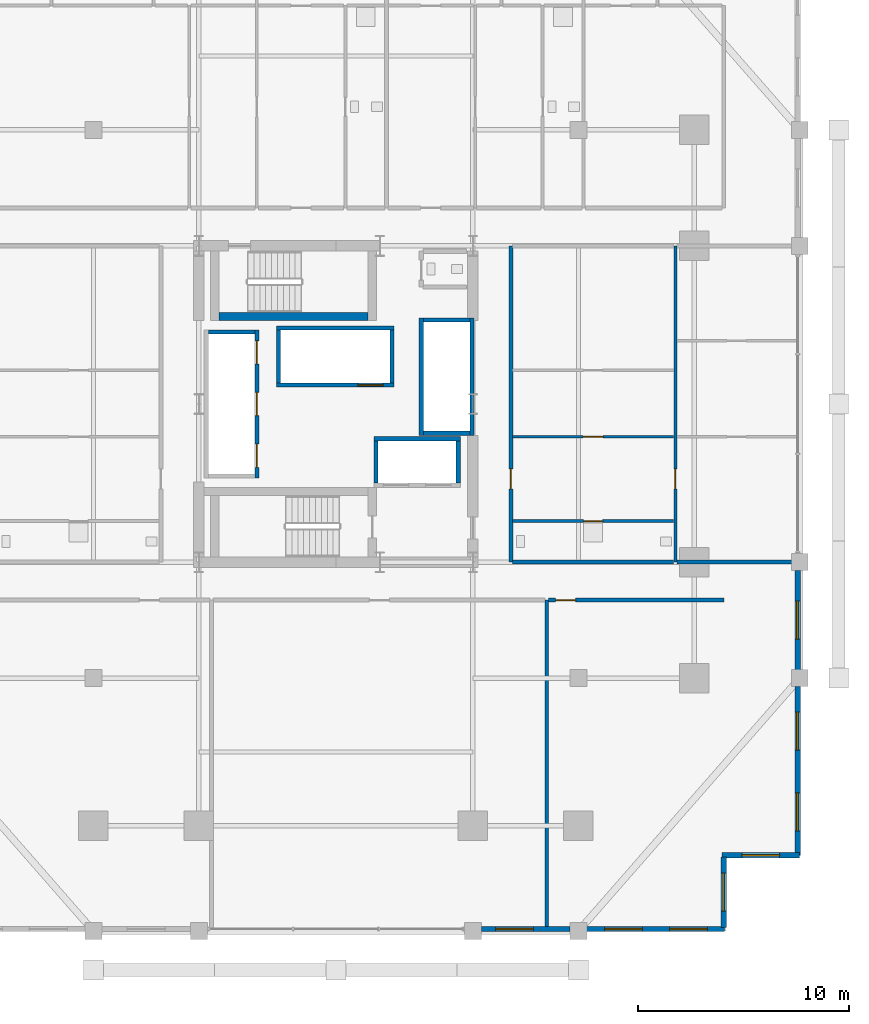
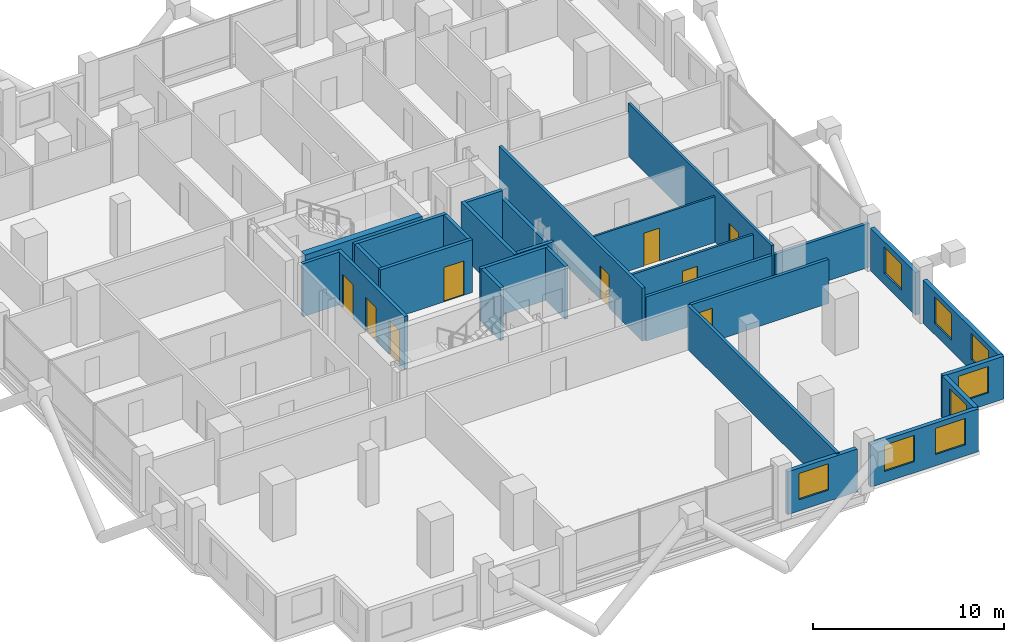
# One storey, part 18 of 23: 28 walls, 9 doors, 8 windows, 17 openings.
"""IFC4 building model written with IfcOpenShell, lengths in metres."""

from ifc_helpers import new_model, si_unit, direction, frame, frame_2d, origin, place, context, subcontext, project, spatial, rectangle, extrude, material, layer, layer_set, type_object, element, fill, save


model = new_model("IFC4")

# Units and contexts
model_context = context("Model", 3, precision=1e-05, world=origin(), true_north=direction((0.0, 1.0)))
body_context = subcontext(model_context, "Body", "Model", "MODEL_VIEW")
ifc_project = project(units=[si_unit("LENGTHUNIT", "METRE"), si_unit("AREAUNIT", "SQUARE_METRE"), si_unit("VOLUMEUNIT", "CUBIC_METRE"), si_unit("PLANEANGLEUNIT", "RADIAN"), si_unit("MASSUNIT", "GRAM", prefix="KILO")], contexts=[model_context])

# Site, building, storey
site_placement = place(None, origin())
site = spatial("IfcSite", under=ifc_project, at=site_placement, CompositionType="ELEMENT")
building_placement = place(site_placement, origin())
building = spatial("IfcBuilding", under=site, at=building_placement, Name="Barlavira Tower and Art Museum", CompositionType="ELEMENT")
storey_placement = place(building_placement, frame((0.0, 0.0, 57.60009765625)))
storey = spatial("IfcBuildingStorey", under=building, at=storey_placement, Name="L13", CompositionType="ELEMENT", Elevation=57.60009765625)

# Wall, opening, door
ifc_material_1 = material(Name="Gypsum acoustic stud partition", Category="gypsum")
ifc_layer_1 = layer(ifc_material_1, 0.1201171875, Name="Gypsum acoustic stud partition")
ifc_layer_set_1 = layer_set([ifc_layer_1], Name="Gypsum acoustic stud partition")
wall_type_1 = type_object("IfcWallType", Name="Apartment Internal Acoustic Partition 120", PredefinedType="PARTITIONING", material=ifc_layer_set_1)
wall_1_placement = place(storey_placement, frame((8.3798828125, -1.550048828125, 0.0), z_axis=(0.0, 0.0, 1.0), x_axis=(1.0, 0.0, 0.0)))
wall_1 = element("IfcWall", 1, at=wall_1_placement, inside=storey, type_object=wall_type_1, Name="L13 Partition Wall 32", PredefinedType="PARTITIONING", context=body_context, shape_type="SweptSolid", body=[
    extrude(rectangle(XDim=7.64013671875, YDim=0.1201171875, at=frame_2d((3.820068359375, 0.0))), origin(), (0.0, 0.0, 1.0), 2.947998046875),
])
opening_1_placement = place(wall_1_placement, frame((3.344970703125, 0.0, 0.0)))
opening_1 = element("IfcOpeningElement", 2, at=opening_1_placement, cuts=wall_1, Name="Opening D-02", PredefinedType="OPENING", context=body_context, shape_type="SweptSolid", body=[
    extrude(rectangle(XDim=0.949951171875, YDim=2.10009765625, at=frame_2d((0.47509765625, 1.050048828125))), frame((0.0, 0.070068359375, 0.0), z_axis=(0.0, -1.0, 0.0), x_axis=(1.0, 0.0, 0.0)), (0.0, 0.0, 1.0), 0.14013671875),
])
ifc_material_2 = material(Name="Engineered coastal hardwood", Category="wood")
door_type_1 = type_object("IfcDoorType", Name="Living and Salon Glazed-Leaf Door 950x2100", OperationType="NOTDEFINED", PredefinedType="DOOR", material=ifc_material_2)
door_1_placement = place(opening_1_placement, origin())
door_1 = element("IfcDoor", 3, at=door_1_placement, inside=storey, type_object=door_type_1, Name="Apartment E1 Kitchen Door", OperationType="SINGLE_SWING_RIGHT", OverallHeight=2.10009765625, OverallWidth=0.949951171875, PredefinedType="DOOR", context=body_context, shape_type="SweptSolid", body=[
    extrude(rectangle(XDim=0.949951171875, YDim=2.10009765625, at=frame_2d((0.47509765625, 1.050048828125))), frame((0.0, 0.02490234375, 0.0), z_axis=(0.0, -1.0, 0.0), x_axis=(1.0, 0.0, 0.0)), (0.0, 0.0, 1.0), 0.050048828125),
])
fill(opening_1, door_1)

# Wall, openings, doors
ifc_material_3 = material(Name="Autoclaved aerated concrete masonry", Category="masonry")
ifc_layer_2 = layer(ifc_material_3, 0.199951171875, Name="Autoclaved aerated concrete masonry")
ifc_layer_set_2 = layer_set([ifc_layer_2], Name="Autoclaved aerated concrete masonry")
wall_type_2 = type_object("IfcWallType", Name="Fire Compartment and Shaft Wall 200", PredefinedType="SOLIDWALL", material=ifc_layer_set_2)
wall_2_placement = place(storey_placement, frame((-3.75, -3.510009765625, 0.0), z_axis=(0.0, 0.0, 1.0), x_axis=(0.0, 1.0, 0.0)))
wall_2 = element("IfcWall", 4, at=wall_2_placement, inside=storey, type_object=wall_type_2, Name="L13 Low-Rise Lift Front Shaft Wall", PredefinedType="SOLIDWALL", context=body_context, shape_type="SweptSolid", body=[
    extrude(rectangle(XDim=7.02001953125, YDim=0.199951171875, at=frame_2d((3.510009765625, 0.0))), origin(), (0.0, 0.0, 1.0), 3.3798828125),
])
opening_2_placement = place(wall_2_placement, frame((0.510009765625, 0.0, 0.0)))
opening_2 = element("IfcOpeningElement", 5, at=opening_2_placement, cuts=wall_2, Name="Opening LD-P", PredefinedType="OPENING", context=body_context, shape_type="SweptSolid", body=[
    extrude(rectangle(XDim=1.10009765625, YDim=2.14990234375, at=frame_2d((0.550048828125, 1.074951171875))), frame((0.0, 0.10986328125, 0.0), z_axis=(0.0, -1.0, 0.0), x_axis=(1.0, 0.0, 0.0)), (0.0, 0.0, 1.0), 0.219970703125),
])
opening_3_placement = place(wall_2_placement, frame((2.9599609375, 0.0, 0.0)))
opening_3 = element("IfcOpeningElement", 6, at=opening_3_placement, cuts=wall_2, Name="Opening LD-P", PredefinedType="OPENING", context=body_context, shape_type="SweptSolid", body=[
    extrude(rectangle(XDim=1.10009765625, YDim=2.14990234375, at=frame_2d((0.550048828125, 1.074951171875))), frame((0.0, 0.10986328125, 0.0), z_axis=(0.0, -1.0, 0.0), x_axis=(1.0, 0.0, 0.0)), (0.0, 0.0, 1.0), 0.219970703125),
])
opening_4_placement = place(wall_2_placement, frame((5.409912109375, 0.0, 0.0)))
opening_4 = element("IfcOpeningElement", 7, at=opening_4_placement, cuts=wall_2, Name="Opening LD-P", PredefinedType="OPENING", context=body_context, shape_type="SweptSolid", body=[
    extrude(rectangle(XDim=1.10009765625, YDim=2.14990234375, at=frame_2d((0.550048828125, 1.074951171875))), frame((0.0, 0.10986328125, 0.0), z_axis=(0.0, -1.0, 0.0), x_axis=(1.0, 0.0, 0.0)), (0.0, 0.0, 1.0), 0.219970703125),
])
ifc_material_4 = material(Name="Brushed stainless steel", Category="steel")
door_type_2 = type_object("IfcDoorType", Name="Passenger Lift Sliding Landing Door 1100x2150 FD60", OperationType="NOTDEFINED", PredefinedType="DOOR", material=ifc_material_4)
door_2_placement = place(opening_2_placement, origin())
door_2 = element("IfcDoor", 8, at=door_2_placement, inside=storey, type_object=door_type_2, Name="L13 Lift PL1 Sliding Landing Door", OperationType="DOUBLE_DOOR_SLIDING", OverallHeight=2.14990234375, OverallWidth=1.10009765625, PredefinedType="DOOR", context=body_context, shape_type="SweptSolid", body=[
    extrude(rectangle(XDim=1.10009765625, YDim=2.14990234375, at=frame_2d((0.550048828125, 1.074951171875))), frame((0.0, 0.02490234375, 0.0), z_axis=(0.0, -1.0, 0.0), x_axis=(1.0, 0.0, 0.0)), (0.0, 0.0, 1.0), 0.050048828125),
])
fill(opening_2, door_2)
door_3_placement = place(opening_3_placement, origin())
door_3 = element("IfcDoor", 9, at=door_3_placement, inside=storey, type_object=door_type_2, Name="L13 Lift PL2 Sliding Landing Door", OperationType="DOUBLE_DOOR_SLIDING", OverallHeight=2.14990234375, OverallWidth=1.10009765625, PredefinedType="DOOR", context=body_context, shape_type="SweptSolid", body=[
    extrude(rectangle(XDim=1.10009765625, YDim=2.14990234375, at=frame_2d((0.550048828125, 1.074951171875))), frame((0.0, 0.02490234375, 0.0), z_axis=(0.0, -1.0, 0.0), x_axis=(1.0, 0.0, 0.0)), (0.0, 0.0, 1.0), 0.050048828125),
])
fill(opening_3, door_3)
door_4_placement = place(opening_4_placement, origin())
door_4 = element("IfcDoor", 10, at=door_4_placement, inside=storey, type_object=door_type_2, Name="L13 Lift PL3 Sliding Landing Door", OperationType="DOUBLE_DOOR_SLIDING", OverallHeight=2.14990234375, OverallWidth=1.10009765625, PredefinedType="DOOR", context=body_context, shape_type="SweptSolid", body=[
    extrude(rectangle(XDim=1.10009765625, YDim=2.14990234375, at=frame_2d((0.550048828125, 1.074951171875))), frame((0.0, 0.02490234375, 0.0), z_axis=(0.0, -1.0, 0.0), x_axis=(1.0, 0.0, 0.0)), (0.0, 0.0, 1.0), 0.050048828125),
])
fill(opening_4, door_4)

# Walls
wall_3_placement = place(storey_placement, frame((-6.050048828125, 3.409912109375, 0.0), z_axis=(0.0, 0.0, 1.0), x_axis=(1.0, 0.0, 0.0)))
element("IfcWall", 11, at=wall_3_placement, inside=storey, type_object=wall_type_2, Name="L13 Low-Rise Lift North Shaft Wall", PredefinedType="SOLIDWALL", context=body_context, shape_type="SweptSolid", body=[
    extrude(rectangle(XDim=2.199951171875, YDim=0.199951171875, at=frame_2d((1.10009765625, 0.0))), origin(), (0.0, 0.0, 1.0), 3.3798828125),
])
wall_4_placement = place(storey_placement, frame((4.050048828125, -1.489990234375, 0.0), z_axis=(0.0, 0.0, 1.0), x_axis=(0.0, 1.0, 0.0)))
element("IfcWall", 12, at=wall_4_placement, inside=storey, type_object=wall_type_2, Name="L13 Mid-Rise Lift Front Shaft Wall", PredefinedType="SOLIDWALL", context=body_context, shape_type="SweptSolid", body=[
    extrude(rectangle(XDim=5.580078125, YDim=0.199951171875, at=frame_2d((2.7900390625, 0.0))), origin(), (0.0, 0.0, 1.0), 3.3798828125),
])
wall_5_placement = place(storey_placement, frame((6.449951171875, -1.489990234375, 0.0), z_axis=(0.0, 0.0, 1.0), x_axis=(0.0, 1.0, 0.0)))
element("IfcWall", 13, at=wall_5_placement, inside=storey, type_object=wall_type_2, Name="L13 Mid-Rise Lift Back Shaft Wall", PredefinedType="SOLIDWALL", context=body_context, shape_type="SweptSolid", body=[
    extrude(rectangle(XDim=5.580078125, YDim=0.199951171875, at=frame_2d((2.7900390625, 0.0))), origin(), (0.0, 0.0, 1.0), 2.81591796875),
])
for number, where, z_axis, x_axis, name in (
    (14, (4.14990234375, -1.389892578125, 0.0), (0.0, 0.0, 1.0), (1.0, 0.0, 0.0), "L13 Mid-Rise Lift South Shaft Wall"),
    (15, (4.14990234375, 3.989990234375, 0.0), (0.0, 0.0, 1.0), (1.0, 0.0, 0.0), "L13 Mid-Rise Lift North Shaft Wall"),
):
    element("IfcWall", number, at=place(storey_placement, frame(where, z_axis=z_axis, x_axis=x_axis)), inside=storey, type_object=wall_type_2, Name=name, PredefinedType="SOLIDWALL", context=body_context, shape_type="SweptSolid", body=[
        extrude(rectangle(XDim=2.2001953125, YDim=0.199951171875, at=frame_2d((1.10009765625, 0.0))), origin(), (0.0, 0.0, 1.0), 3.3798828125),
    ])

# Wall, opening, door
wall_6_placement = place(storey_placement, frame((-2.820068359375, 0.89990234375, 0.0), z_axis=(0.0, 0.0, 1.0), x_axis=(1.0, 0.0, 0.0)))
wall_6 = element("IfcWall", 16, at=wall_6_placement, inside=storey, type_object=wall_type_2, Name="L13 High-Rise & Service Lift Front Wall", PredefinedType="SOLIDWALL", context=body_context, shape_type="SweptSolid", body=[
    extrude(rectangle(XDim=5.580078125, YDim=0.199951171875, at=frame_2d((2.7900390625, 0.0))), origin(), (0.0, 0.0, 1.0), 3.3798828125),
])
opening_5_placement = place(wall_6_placement, frame((3.860107421875, 0.0, 0.0)))
opening_5 = element("IfcOpeningElement", 17, at=opening_5_placement, cuts=wall_6, Name="Opening LD-F", PredefinedType="OPENING", context=body_context, shape_type="SweptSolid", body=[
    extrude(rectangle(XDim=1.199951171875, YDim=2.199951171875, at=frame_2d((0.60009765625, 1.10009765625))), frame((0.0, 0.10986328125, 0.0), z_axis=(0.0, -1.0, 0.0), x_axis=(1.0, 0.0, 0.0)), (0.0, 0.0, 1.0), 0.219970703125),
])
door_type_3 = type_object("IfcDoorType", Name="Firefighting and Service Lift Sliding Door 1200x2200 FD120", OperationType="NOTDEFINED", PredefinedType="DOOR", material=ifc_material_4)
door_5_placement = place(opening_5_placement, origin())
door_5 = element("IfcDoor", 18, at=door_5_placement, inside=storey, type_object=door_type_3, Name="L13 Stretcher Service Lift SL1 Sliding Door", OperationType="DOUBLE_DOOR_SLIDING", OverallHeight=2.199951171875, OverallWidth=1.199951171875, PredefinedType="DOOR", context=body_context, shape_type="SweptSolid", body=[
    extrude(rectangle(XDim=1.199951171875, YDim=2.199951171875, at=frame_2d((0.60009765625, 1.10009765625))), frame((0.0, 0.02490234375, 0.0), z_axis=(0.0, -1.0, 0.0), x_axis=(1.0, 0.0, 0.0)), (0.0, 0.0, 1.0), 0.050048828125),
])
fill(opening_5, door_5)

# Walls
wall_7_placement = place(storey_placement, frame((-2.820068359375, 3.60009765625, 0.0), z_axis=(0.0, 0.0, 1.0), x_axis=(1.0, 0.0, 0.0)))
element("IfcWall", 19, at=wall_7_placement, inside=storey, type_object=wall_type_2, Name="L13 High-Rise & Service Lift Back Wall", PredefinedType="SOLIDWALL", context=body_context, shape_type="SweptSolid", body=[
    extrude(rectangle(XDim=5.580078125, YDim=0.199951171875, at=frame_2d((2.7900390625, 0.0))), origin(), (0.0, 0.0, 1.0), 3.3798828125),
])
for number, where, z_axis, x_axis, name in (
    (20, (-2.719970703125, 1.0, 0.0), (0.0, 0.0, 1.0), (0.0, 1.0, 0.0), "L13 High-Rise & Service Lift West Wall"),
    (21, (2.659912109375, 1.0, 0.0), (0.0, 0.0, 1.0), (0.0, 1.0, 0.0), "L13 High-Rise & Service Lift East Wall"),
):
    element("IfcWall", number, at=place(storey_placement, frame(where, z_axis=z_axis, x_axis=x_axis)), inside=storey, type_object=wall_type_2, Name=name, PredefinedType="SOLIDWALL", context=body_context, shape_type="SweptSolid", body=[
        extrude(rectangle(XDim=2.5, YDim=0.199951171875, at=frame_2d((1.25, 0.0))), origin(), (0.0, 0.0, 1.0), 3.3798828125),
    ])
wall_8_placement = place(storey_placement, frame((1.800048828125, -1.64990234375, 0.0), z_axis=(0.0, 0.0, 1.0), x_axis=(1.0, 0.0, 0.0)))
element("IfcWall", 22, at=wall_8_placement, inside=storey, type_object=wall_type_2, Name="L13 Firefighting Lift Back Shaft Wall", PredefinedType="SOLIDWALL", context=body_context, shape_type="SweptSolid", body=[
    extrude(rectangle(XDim=4.099853515625, YDim=0.199951171875, at=frame_2d((2.0498046875, 0.0))), origin(), (0.0, 0.0, 1.0), 3.3798828125),
])
for number, where, z_axis, x_axis, name in (
    (23, (1.89990234375, -3.75, 0.0), (0.0, 0.0, 1.0), (0.0, 1.0, 0.0), "L13 Firefighting Lift West Shaft Wall"),
    (24, (5.800048828125, -3.75, 0.0), (0.0, 0.0, 1.0), (0.0, 1.0, 0.0), "L13 Firefighting Lift East Shaft Wall"),
):
    element("IfcWall", number, at=place(storey_placement, frame(where, z_axis=z_axis, x_axis=x_axis)), inside=storey, type_object=wall_type_2, Name=name, PredefinedType="SOLIDWALL", context=body_context, shape_type="SweptSolid", body=[
        extrude(rectangle(XDim=2.0, YDim=0.199951171875, at=frame_2d((1.0, 0.0))), origin(), (0.0, 0.0, 1.0), 3.3798828125),
    ])

# Wall, opening, door
ifc_layer_3 = layer(ifc_material_1, 0.179931640625, Name="Gypsum acoustic stud partition")
ifc_layer_set_3 = layer_set([ifc_layer_3], Name="Gypsum acoustic stud partition")
wall_type_3 = type_object("IfcWallType", Name="Inter-Tenancy Party Partition Wall 180", PredefinedType="PARTITIONING", material=ifc_layer_set_3)
wall_9_placement = place(storey_placement, frame((8.300048828125, -7.5, 0.0), z_axis=(0.0, 0.0, 1.0), x_axis=(0.0, 1.0, 0.0)))
wall_9 = element("IfcWall", 25, at=wall_9_placement, inside=storey, type_object=wall_type_3, Name="L13 Partition Wall 14", PredefinedType="PARTITIONING", context=body_context, shape_type="SweptSolid", body=[
    extrude(rectangle(XDim=15.0, YDim=0.179931640625, at=frame_2d((7.5, 0.0))), origin(), (0.0, 0.0, 1.0), 3.3798828125),
])
opening_6_placement = place(wall_9_placement, frame((3.47509765625, 0.0, 0.0)))
opening_6 = element("IfcOpeningElement", 26, at=opening_6_placement, cuts=wall_9, Name="Opening FD-60", PredefinedType="OPENING", context=body_context, shape_type="SweptSolid", body=[
    extrude(rectangle(XDim=0.949951171875, YDim=2.14990234375, at=frame_2d((0.47509765625, 1.074951171875))), frame((0.0, 0.10009765625, 0.0), z_axis=(0.0, -1.0, 0.0), x_axis=(1.0, 0.0, 0.0)), (0.0, 0.0, 1.0), 0.199951171875),
])
door_type_4 = type_object("IfcDoorType", Name="Apartment Entrance and Riser Fire Door 950x2150 FD60S", OperationType="NOTDEFINED", PredefinedType="DOOR", material=ifc_material_4)
door_6_placement = place(opening_6_placement, origin())
door_6 = element("IfcDoor", 27, at=door_6_placement, inside=storey, type_object=door_type_4, Name="Apartment Entrance Hall E1 Door", OperationType="SINGLE_SWING_LEFT", OverallHeight=2.14990234375, OverallWidth=0.949951171875, PredefinedType="DOOR", context=body_context, shape_type="SweptSolid", body=[
    extrude(rectangle(XDim=0.949951171875, YDim=2.14990234375, at=frame_2d((0.47509765625, 1.074951171875))), frame((0.0, 0.02490234375, 0.0), z_axis=(0.0, -1.0, 0.0), x_axis=(1.0, 0.0, 0.0)), (0.0, 0.0, 1.0), 0.050048828125),
])
fill(opening_6, door_6)

# Wall
wall_10_placement = place(storey_placement, frame((10.0, -24.89990234375, 0.0), z_axis=(0.0, 0.0, 1.0), x_axis=(0.0, 1.0, 0.0)))
element("IfcWall", 28, at=wall_10_placement, inside=storey, type_object=wall_type_3, Name="L13 Partition Wall 16", PredefinedType="PARTITIONING", context=body_context, shape_type="SweptSolid", body=[
    extrude(rectangle(XDim=15.599853515625, YDim=0.179931640625, at=frame_2d((7.7998046875, 0.0))), origin(), (0.0, 0.0, 1.0), 2.81591796875),
])

# Wall, opening, door
wall_11_placement = place(storey_placement, frame((10.080078125, -9.300048828125, 0.0), z_axis=(0.0, 0.0, 1.0), x_axis=(1.0, 0.0, 0.0)))
wall_11 = element("IfcWall", 29, at=wall_11_placement, inside=storey, type_object=wall_type_3, Name="L13 Partition Wall 23", PredefinedType="PARTITIONING", context=body_context, shape_type="SweptSolid", body=[
    extrude(rectangle(XDim=8.31982421875, YDim=0.179931640625, at=frame_2d((4.159912109375, 0.0))), origin(), (0.0, 0.0, 1.0), 2.81591796875),
])
opening_7_placement = place(wall_11_placement, frame((0.344970703125, 0.0, 0.0)))
opening_7 = element("IfcOpeningElement", 30, at=opening_7_placement, cuts=wall_11, Name="Opening FD-60", PredefinedType="OPENING", context=body_context, shape_type="SweptSolid", body=[
    extrude(rectangle(XDim=0.949951171875, YDim=2.14990234375, at=frame_2d((0.47509765625, 1.074951171875))), frame((0.0, 0.10009765625, 0.0), z_axis=(0.0, -1.0, 0.0), x_axis=(1.0, 0.0, 0.0)), (0.0, 0.0, 1.0), 0.199951171875),
])
door_7_placement = place(opening_7_placement, origin())
door_7 = element("IfcDoor", 31, at=door_7_placement, inside=storey, type_object=door_type_4, Name="Shared Coworking Espresso Pantry Door", OperationType="SINGLE_SWING_RIGHT", OverallHeight=2.14990234375, OverallWidth=0.949951171875, PredefinedType="DOOR", context=body_context, shape_type="SweptSolid", body=[
    extrude(rectangle(XDim=0.949951171875, YDim=2.14990234375, at=frame_2d((0.47509765625, 1.074951171875))), frame((0.0, 0.02490234375, 0.0), z_axis=(0.0, -1.0, 0.0), x_axis=(1.0, 0.0, 0.0)), (0.0, 0.0, 1.0), 0.050048828125),
])
fill(opening_7, door_7)

# Walls
wall_12_placement = place(storey_placement, frame((8.3798828125, -7.5, 0.0), z_axis=(0.0, 0.0, 1.0), x_axis=(1.0, 0.0, 0.0)))
element("IfcWall", 32, at=wall_12_placement, inside=storey, type_object=wall_type_3, Name="L13 Partition Wall 26", PredefinedType="PARTITIONING", context=body_context, shape_type="SweptSolid", body=[
    extrude(rectangle(XDim=7.64013671875, YDim=0.179931640625, at=frame_2d((3.820068359375, 0.0))), origin(), (0.0, 0.0, 1.0), 2.81591796875),
])
wall_13_placement = place(storey_placement, frame((16.179931640625, -7.5, 0.0), z_axis=(0.0, 0.0, 1.0), x_axis=(1.0, 0.0, 0.0)))
element("IfcWall", 33, at=wall_13_placement, inside=storey, type_object=wall_type_3, Name="L13 Partition Wall 27", PredefinedType="PARTITIONING", context=body_context, shape_type="SweptSolid", body=[
    extrude(rectangle(XDim=5.719970703125, YDim=0.179931640625, at=frame_2d((2.85986328125, 0.0))), origin(), (0.0, 0.0, 1.0), 2.81591796875),
])

# Wall, opening, door
ifc_layer_4 = layer(ifc_material_1, 0.139892578125, Name="Gypsum acoustic stud partition")
ifc_layer_set_4 = layer_set([ifc_layer_4], Name="Gypsum acoustic stud partition")
wall_type_4 = type_object("IfcWallType", Name="Moisture-Resistant Bathroom Partition 140", PredefinedType="PARTITIONING", material=ifc_layer_set_4)
wall_14_placement = place(storey_placement, frame((16.10009765625, -7.5, 0.0), z_axis=(0.0, 0.0, 1.0), x_axis=(0.0, 1.0, 0.0)))
wall_14 = element("IfcWall", 34, at=wall_14_placement, inside=storey, type_object=wall_type_4, Name="L13 Partition Wall 19", PredefinedType="PARTITIONING", context=body_context, shape_type="SweptSolid", body=[
    extrude(rectangle(XDim=15.0, YDim=0.139892578125, at=frame_2d((7.5, 0.0))), origin(), (0.0, 0.0, 1.0), 3.3798828125),
])
opening_8_placement = place(wall_14_placement, frame((3.47509765625, 0.0, 0.0)))
opening_8 = element("IfcOpeningElement", 35, at=opening_8_placement, cuts=wall_14, Name="Opening D-02", PredefinedType="OPENING", context=body_context, shape_type="SweptSolid", body=[
    extrude(rectangle(XDim=0.949951171875, YDim=2.10009765625, at=frame_2d((0.47509765625, 1.050048828125))), frame((0.0, 0.080078125, 0.0), z_axis=(0.0, -1.0, 0.0), x_axis=(1.0, 0.0, 0.0)), (0.0, 0.0, 1.0), 0.159912109375),
])
door_8_placement = place(opening_8_placement, origin())
door_8 = element("IfcDoor", 36, at=door_8_placement, inside=storey, type_object=door_type_1, Name="Apartment E1 Living Lounge Door", OperationType="SINGLE_SWING_RIGHT", OverallHeight=2.10009765625, OverallWidth=0.949951171875, PredefinedType="DOOR", context=body_context, shape_type="SweptSolid", body=[
    extrude(rectangle(XDim=0.949951171875, YDim=2.10009765625, at=frame_2d((0.47509765625, 1.050048828125))), frame((0.0, 0.02490234375, 0.0), z_axis=(0.0, -1.0, 0.0), x_axis=(1.0, 0.0, 0.0)), (0.0, 0.0, 1.0), 0.050048828125),
])
fill(opening_8, door_8)

wall_15_placement = place(storey_placement, frame((8.3798828125, -5.550048828125, 0.0), z_axis=(0.0, 0.0, 1.0), x_axis=(1.0, 0.0, 0.0)))
wall_15 = element("IfcWall", 37, at=wall_15_placement, inside=storey, type_object=wall_type_4, Name="L13 Partition Wall 29", PredefinedType="PARTITIONING", context=body_context, shape_type="SweptSolid", body=[
    extrude(rectangle(XDim=7.64013671875, YDim=0.139892578125, at=frame_2d((3.820068359375, 0.0))), origin(), (0.0, 0.0, 1.0), 2.947998046875),
])
opening_9_placement = place(wall_15_placement, frame((3.3701171875, 0.0, 0.0)))
opening_9 = element("IfcOpeningElement", 38, at=opening_9_placement, cuts=wall_15, Name="Opening D-WC", PredefinedType="OPENING", context=body_context, shape_type="SweptSolid", body=[
    extrude(rectangle(XDim=0.89990234375, YDim=2.10009765625, at=frame_2d((0.449951171875, 1.050048828125))), frame((0.0, 0.080078125, 0.0), z_axis=(0.0, -1.0, 0.0), x_axis=(1.0, 0.0, 0.0)), (0.0, 0.0, 1.0), 0.159912109375),
])
door_type_5 = type_object("IfcDoorType", Name="Accessible Bathroom Flush Door 900x2100", OperationType="NOTDEFINED", PredefinedType="DOOR", material=ifc_material_2)
door_9_placement = place(opening_9_placement, origin())
door_9 = element("IfcDoor", 39, at=door_9_placement, inside=storey, type_object=door_type_5, Name="Apartment E1 Hall Bathroom Door", OperationType="SINGLE_SWING_RIGHT", OverallHeight=2.10009765625, OverallWidth=0.89990234375, PredefinedType="DOOR", context=body_context, shape_type="SweptSolid", body=[
    extrude(rectangle(XDim=0.89990234375, YDim=2.10009765625, at=frame_2d((0.449951171875, 1.050048828125))), frame((0.0, 0.02490234375, 0.0), z_axis=(0.0, -1.0, 0.0), x_axis=(1.0, 0.0, 0.0)), (0.0, 0.0, 1.0), 0.050048828125),
])
fill(opening_9, door_9)

# Wall, opening, window
ifc_material_5 = material(Name="Precast concrete C40", Category="concrete")
ifc_layer_5 = layer(ifc_material_5, 0.25, Name="Precast concrete C40")
ifc_layer_set_5 = layer_set([ifc_layer_5], Name="Precast concrete C40")
wall_type_5 = type_object("IfcWallType", Name="Notched Corner Spandrel Wall 250 Precast Concrete C40", PredefinedType="SOLIDWALL", material=ifc_layer_set_5)
wall_16_placement = place(storey_placement, frame((6.89501953125, -24.89990234375, 0.0), z_axis=(0.0, 0.0, 1.0), x_axis=(1.0, 0.0, 0.0)))
wall_16 = element("IfcWall", 40, at=wall_16_placement, inside=storey, type_object=wall_type_5, Name="L13 Coastal Facade Pier Wall CW1-L13-S-4", PredefinedType="SOLIDWALL", context=body_context, shape_type="SweptSolid", body=[
    extrude(rectangle(XDim=4.2099609375, YDim=0.25, at=frame_2d((2.10498046875, 0.0))), origin(), (0.0, 0.0, 1.0), 2.73583984375),
])
opening_10_placement = place(wall_16_placement, frame((0.675048828125, 0.0, 0.719970703125)))
opening_10 = element("IfcOpeningElement", 41, at=opening_10_placement, cuts=wall_16, Name="Opening WN-01", PredefinedType="OPENING", context=body_context, shape_type="SweptSolid", body=[
    extrude(rectangle(XDim=1.800048828125, YDim=1.679931640625, at=frame_2d((0.89990234375, 0.83984375))), frame((0.0, 0.135009765625, 0.0), z_axis=(0.0, -1.0, 0.0), x_axis=(1.0, 0.0, 0.0)), (0.0, 0.0, 1.0), 0.27001953125),
])
ifc_material_6 = material(Name="Low-iron coastal laminated glass", Category="glass")
window_type = type_object("IfcWindowType", Name="Recessed Notch Corner Punch Window 1800x1680", PartitioningType="SINGLE_PANEL", PredefinedType="WINDOW", material=ifc_material_6)
window_1_placement = place(opening_10_placement, origin())
window_1 = element("IfcWindow", 42, at=window_1_placement, inside=storey, type_object=window_type, Name="L13 Punched Facade Window EWP-CW1-L13-S-4-1", OverallHeight=1.679931640625, OverallWidth=1.800048828125, PartitioningType="SINGLE_PANEL", PredefinedType="WINDOW", context=body_context, shape_type="SweptSolid", body=[
    extrude(rectangle(XDim=1.800048828125, YDim=1.679931640625, at=frame_2d((0.89990234375, 0.83984375))), frame((0.0, 0.030029296875, 0.0), z_axis=(0.0, -1.0, 0.0), x_axis=(1.0, 0.0, 0.0)), (0.0, 0.0, 1.0), 0.06005859375),
])
fill(opening_10, window_1)

# Wall, openings, windows
wall_17_placement = place(storey_placement, frame((11.89501953125, -24.89990234375, 0.0), z_axis=(0.0, 0.0, 1.0), x_axis=(1.0, 0.0, 0.0)))
wall_17 = element("IfcWall", 43, at=wall_17_placement, inside=storey, type_object=wall_type_5, Name="L13 Coastal Facade Pier Wall CW1-L13-S-5", PredefinedType="SOLIDWALL", context=body_context, shape_type="SweptSolid", body=[
    extrude(rectangle(XDim=6.530029296875, YDim=0.25, at=frame_2d((3.26513671875, 0.0))), origin(), (0.0, 0.0, 1.0), 2.73583984375),
])
opening_11_placement = place(wall_17_placement, frame((0.845947265625, 0.0, 0.719970703125)))
opening_11 = element("IfcOpeningElement", 44, at=opening_11_placement, cuts=wall_17, Name="Opening WN-01", PredefinedType="OPENING", context=body_context, shape_type="SweptSolid", body=[
    extrude(rectangle(XDim=1.800048828125, YDim=1.679931640625, at=frame_2d((0.89990234375, 0.83984375))), frame((0.0, 0.135009765625, 0.0), z_axis=(0.0, -1.0, 0.0), x_axis=(1.0, 0.0, 0.0)), (0.0, 0.0, 1.0), 0.27001953125),
])
opening_12_placement = place(wall_17_placement, frame((3.928955078125, 0.0, 0.719970703125)))
opening_12 = element("IfcOpeningElement", 45, at=opening_12_placement, cuts=wall_17, Name="Opening WN-01", PredefinedType="OPENING", context=body_context, shape_type="SweptSolid", body=[
    extrude(rectangle(XDim=1.800048828125, YDim=1.679931640625, at=frame_2d((0.89990234375, 0.83984375))), frame((0.0, 0.135009765625, 0.0), z_axis=(0.0, -1.0, 0.0), x_axis=(1.0, 0.0, 0.0)), (0.0, 0.0, 1.0), 0.27001953125),
])
window_2_placement = place(opening_11_placement, origin())
window_2 = element("IfcWindow", 46, at=window_2_placement, inside=storey, type_object=window_type, Name="L13 Punched Facade Window EWP-CW1-L13-S-5-1", OverallHeight=1.679931640625, OverallWidth=1.800048828125, PartitioningType="SINGLE_PANEL", PredefinedType="WINDOW", context=body_context, shape_type="SweptSolid", body=[
    extrude(rectangle(XDim=1.800048828125, YDim=1.679931640625, at=frame_2d((0.89990234375, 0.83984375))), frame((0.0, 0.030029296875, 0.0), z_axis=(0.0, -1.0, 0.0), x_axis=(1.0, 0.0, 0.0)), (0.0, 0.0, 1.0), 0.06005859375),
])
fill(opening_11, window_2)
window_3_placement = place(opening_12_placement, origin())
window_3 = element("IfcWindow", 47, at=window_3_placement, inside=storey, type_object=window_type, Name="L13 Punched Facade Window EWP-CW1-L13-S-5-2", OverallHeight=1.679931640625, OverallWidth=1.800048828125, PartitioningType="SINGLE_PANEL", PredefinedType="WINDOW", context=body_context, shape_type="SweptSolid", body=[
    extrude(rectangle(XDim=1.800048828125, YDim=1.679931640625, at=frame_2d((0.89990234375, 0.83984375))), frame((0.0, 0.030029296875, 0.0), z_axis=(0.0, -1.0, 0.0), x_axis=(1.0, 0.0, 0.0)), (0.0, 0.0, 1.0), 0.06005859375),
])
fill(opening_12, window_3)

wall_18_placement = place(storey_placement, frame((21.89990234375, -21.425048828125, 0.0), z_axis=(0.0, 0.0, 1.0), x_axis=(0.0, 1.0, 0.0)))
wall_18 = element("IfcWall", 48, at=wall_18_placement, inside=storey, type_object=wall_type_5, Name="L13 Coastal Facade Pier Wall CW1-L13-E-1", PredefinedType="SOLIDWALL", context=body_context, shape_type="SweptSolid", body=[
    extrude(rectangle(XDim=8.030029296875, YDim=0.25, at=frame_2d((4.01513671875, 0.0))), origin(), (0.0, 0.0, 1.0), 2.73583984375),
])
opening_13_placement = place(wall_18_placement, frame((1.176025390625, 0.0, 0.719970703125)))
opening_13 = element("IfcOpeningElement", 49, at=opening_13_placement, cuts=wall_18, Name="Opening WN-01", PredefinedType="OPENING", context=body_context, shape_type="SweptSolid", body=[
    extrude(rectangle(XDim=1.800048828125, YDim=1.679931640625, at=frame_2d((0.89990234375, 0.83984375))), frame((0.0, 0.135009765625, 0.0), z_axis=(0.0, -1.0, 0.0), x_axis=(1.0, 0.0, 0.0)), (0.0, 0.0, 1.0), 0.27001953125),
])
opening_14_placement = place(wall_18_placement, frame((5.009033203125, 0.0, 0.719970703125)))
opening_14 = element("IfcOpeningElement", 50, at=opening_14_placement, cuts=wall_18, Name="Opening WN-01", PredefinedType="OPENING", context=body_context, shape_type="SweptSolid", body=[
    extrude(rectangle(XDim=1.800048828125, YDim=1.679931640625, at=frame_2d((0.89990234375, 0.83984375))), frame((0.0, 0.135009765625, 0.0), z_axis=(0.0, -1.0, 0.0), x_axis=(1.0, 0.0, 0.0)), (0.0, 0.0, 1.0), 0.27001953125),
])
window_4_placement = place(opening_13_placement, origin())
window_4 = element("IfcWindow", 51, at=window_4_placement, inside=storey, type_object=window_type, Name="L13 Punched Facade Window EWP-CW1-L13-E-1-1", OverallHeight=1.679931640625, OverallWidth=1.800048828125, PartitioningType="SINGLE_PANEL", PredefinedType="WINDOW", context=body_context, shape_type="SweptSolid", body=[
    extrude(rectangle(XDim=1.800048828125, YDim=1.679931640625, at=frame_2d((0.89990234375, 0.83984375))), frame((0.0, 0.030029296875, 0.0), z_axis=(0.0, -1.0, 0.0), x_axis=(1.0, 0.0, 0.0)), (0.0, 0.0, 1.0), 0.06005859375),
])
fill(opening_13, window_4)
window_5_placement = place(opening_14_placement, origin())
window_5 = element("IfcWindow", 52, at=window_5_placement, inside=storey, type_object=window_type, Name="L13 Punched Facade Window EWP-CW1-L13-E-1-2", OverallHeight=1.679931640625, OverallWidth=1.800048828125, PartitioningType="SINGLE_PANEL", PredefinedType="WINDOW", context=body_context, shape_type="SweptSolid", body=[
    extrude(rectangle(XDim=1.800048828125, YDim=1.679931640625, at=frame_2d((0.89990234375, 0.83984375))), frame((0.0, 0.030029296875, 0.0), z_axis=(0.0, -1.0, 0.0), x_axis=(1.0, 0.0, 0.0)), (0.0, 0.0, 1.0), 0.06005859375),
])
fill(opening_14, window_5)

# Wall, opening, window
wall_19_placement = place(storey_placement, frame((21.89990234375, -12.60498046875, 0.0), z_axis=(0.0, 0.0, 1.0), x_axis=(0.0, 1.0, 0.0)))
wall_19 = element("IfcWall", 53, at=wall_19_placement, inside=storey, type_object=wall_type_5, Name="L13 Coastal Facade Pier Wall CW1-L13-E-2", PredefinedType="SOLIDWALL", context=body_context, shape_type="SweptSolid", body=[
    extrude(rectangle(XDim=4.7099609375, YDim=0.25, at=frame_2d((2.35498046875, 0.0))), origin(), (0.0, 0.0, 1.0), 2.73583984375),
])
opening_15_placement = place(wall_19_placement, frame((1.455078125, 0.0, 0.719970703125)))
opening_15 = element("IfcOpeningElement", 54, at=opening_15_placement, cuts=wall_19, Name="Opening WN-01", PredefinedType="OPENING", context=body_context, shape_type="SweptSolid", body=[
    extrude(rectangle(XDim=1.800048828125, YDim=1.679931640625, at=frame_2d((0.89990234375, 0.83984375))), frame((0.0, 0.135009765625, 0.0), z_axis=(0.0, -1.0, 0.0), x_axis=(1.0, 0.0, 0.0)), (0.0, 0.0, 1.0), 0.27001953125),
])
window_6_placement = place(opening_15_placement, origin())
window_6 = element("IfcWindow", 55, at=window_6_placement, inside=storey, type_object=window_type, Name="L13 Punched Facade Window EWP-CW1-L13-E-2-1", OverallHeight=1.679931640625, OverallWidth=1.800048828125, PartitioningType="SINGLE_PANEL", PredefinedType="WINDOW", context=body_context, shape_type="SweptSolid", body=[
    extrude(rectangle(XDim=1.800048828125, YDim=1.679931640625, at=frame_2d((0.89990234375, 0.83984375))), frame((0.0, 0.030029296875, 0.0), z_axis=(0.0, -1.0, 0.0), x_axis=(1.0, 0.0, 0.0)), (0.0, 0.0, 1.0), 0.06005859375),
])
fill(opening_15, window_6)

wall_20_placement = place(storey_placement, frame((18.39990234375, -24.820068359375, 0.0), z_axis=(0.0, 0.0, 1.0), x_axis=(0.0, 1.0, 0.0)))
wall_20 = element("IfcWall", 56, at=wall_20_placement, inside=storey, type_object=wall_type_5, Name="L13 Notch Corner Wall SE1", PredefinedType="SOLIDWALL", context=body_context, shape_type="SweptSolid", body=[
    extrude(rectangle(XDim=3.340087890625, YDim=0.25, at=frame_2d((1.669921875, 0.0))), origin(), (0.0, 0.0, 1.0), 2.73583984375),
])
opening_16_placement = place(wall_20_placement, frame((0.77001953125, 0.0, 0.719970703125)))
opening_16 = element("IfcOpeningElement", 57, at=opening_16_placement, cuts=wall_20, Name="Opening WN-01", PredefinedType="OPENING", context=body_context, shape_type="SweptSolid", body=[
    extrude(rectangle(XDim=1.800048828125, YDim=1.679931640625, at=frame_2d((0.89990234375, 0.83984375))), frame((0.0, 0.135009765625, 0.0), z_axis=(0.0, -1.0, 0.0), x_axis=(1.0, 0.0, 0.0)), (0.0, 0.0, 1.0), 0.27001953125),
])
window_7_placement = place(opening_16_placement, origin())
window_7 = element("IfcWindow", 58, at=window_7_placement, inside=storey, type_object=window_type, Name="L13 Punched Facade Window EW-NTC-L13-SE1-1", OverallHeight=1.679931640625, OverallWidth=1.800048828125, PartitioningType="SINGLE_PANEL", PredefinedType="WINDOW", context=body_context, shape_type="SweptSolid", body=[
    extrude(rectangle(XDim=1.800048828125, YDim=1.679931640625, at=frame_2d((0.89990234375, 0.83984375))), frame((0.0, 0.030029296875, 0.0), z_axis=(0.0, -1.0, 0.0), x_axis=(1.0, 0.0, 0.0)), (0.0, 0.0, 1.0), 0.06005859375),
])
fill(opening_16, window_7)

wall_21_placement = place(storey_placement, frame((18.320068359375, -21.39990234375, 0.0), z_axis=(0.0, 0.0, 1.0), x_axis=(1.0, 0.0, 0.0)))
wall_21 = element("IfcWall", 59, at=wall_21_placement, inside=storey, type_object=wall_type_5, Name="L13 Notch Corner Wall SE2", PredefinedType="SOLIDWALL", context=body_context, shape_type="SweptSolid", body=[
    extrude(rectangle(XDim=3.659912109375, YDim=0.25, at=frame_2d((1.830078125, 0.0))), origin(), (0.0, 0.0, 1.0), 2.73583984375),
])
opening_17_placement = place(wall_21_placement, frame((0.929931640625, 0.0, 0.719970703125)))
opening_17 = element("IfcOpeningElement", 60, at=opening_17_placement, cuts=wall_21, Name="Opening WN-01", PredefinedType="OPENING", context=body_context, shape_type="SweptSolid", body=[
    extrude(rectangle(XDim=1.800048828125, YDim=1.679931640625, at=frame_2d((0.89990234375, 0.83984375))), frame((0.0, 0.135009765625, 0.0), z_axis=(0.0, -1.0, 0.0), x_axis=(1.0, 0.0, 0.0)), (0.0, 0.0, 1.0), 0.27001953125),
])
window_8_placement = place(opening_17_placement, origin())
window_8 = element("IfcWindow", 61, at=window_8_placement, inside=storey, type_object=window_type, Name="L13 Punched Facade Window EW-NTC-L13-SE2-1", OverallHeight=1.679931640625, OverallWidth=1.800048828125, PartitioningType="SINGLE_PANEL", PredefinedType="WINDOW", context=body_context, shape_type="SweptSolid", body=[
    extrude(rectangle(XDim=1.800048828125, YDim=1.679931640625, at=frame_2d((0.89990234375, 0.83984375))), frame((0.0, 0.030029296875, 0.0), z_axis=(0.0, -1.0, 0.0), x_axis=(1.0, 0.0, 0.0)), (0.0, 0.0, 1.0), 0.06005859375),
])
fill(opening_17, window_8)

# Wall
ifc_material_7 = material(Name="Concrete C55", Category="concrete")
ifc_layer_6 = layer(ifc_material_7, 0.39990234375, Name="Concrete C55")
ifc_layer_set_6 = layer_set([ifc_layer_6], Name="Concrete C55")
wall_type_6 = type_object("IfcWallType", Name="Upper Core Shear Wall 400 Concrete C55", PredefinedType="SHEAR", material=ifc_layer_set_6)
wall_22_placement = place(storey_placement, frame((-5.550048828125, 4.14990234375, 0.0), z_axis=(0.0, 0.0, 1.0), x_axis=(1.0, 0.0, 0.0)))
element("IfcWall", 62, at=wall_22_placement, inside=storey, type_object=wall_type_6, Name="L13 ST-T2 South Shaft Wall", PredefinedType="SHEAR", context=body_context, shape_type="SweptSolid", body=[
    extrude(rectangle(XDim=7.080078125, YDim=0.39990234375, at=frame_2d((3.5400390625, 0.0))), origin(), (0.0, 0.0, 1.0), 3.3798828125),
])

save(model, "model.ifc")
